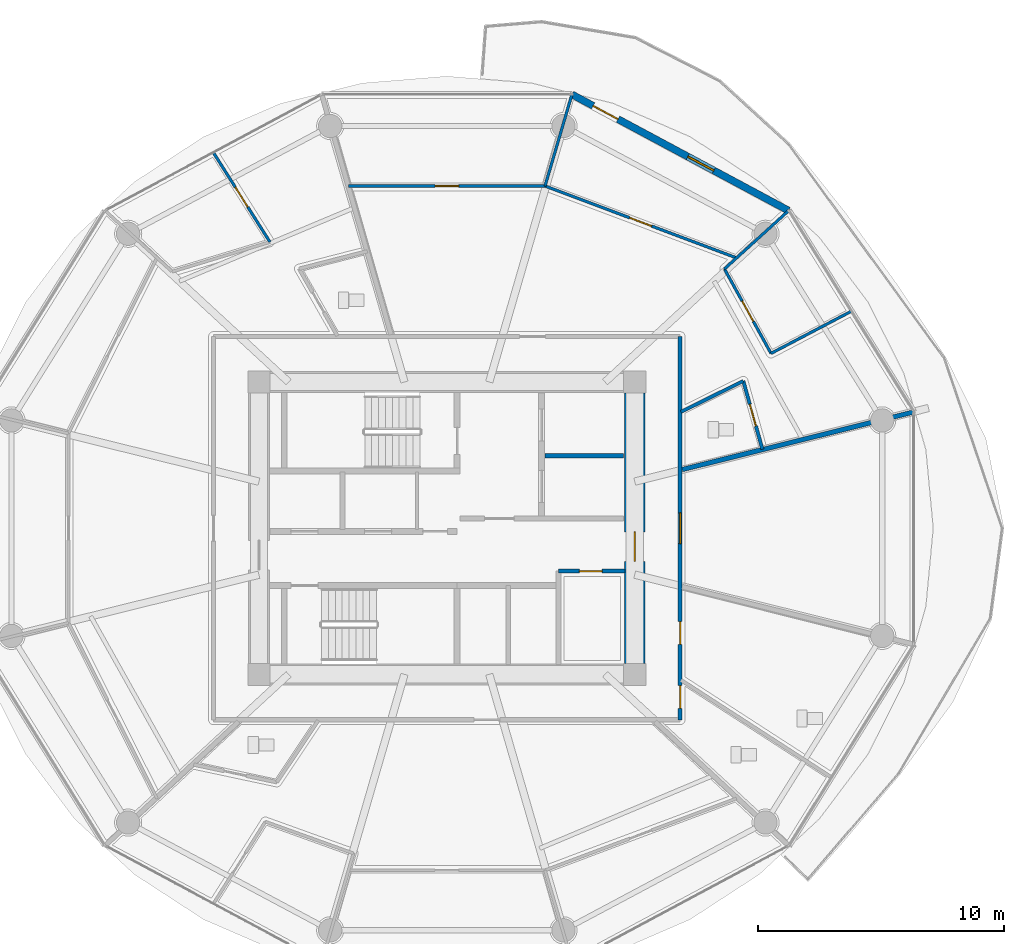
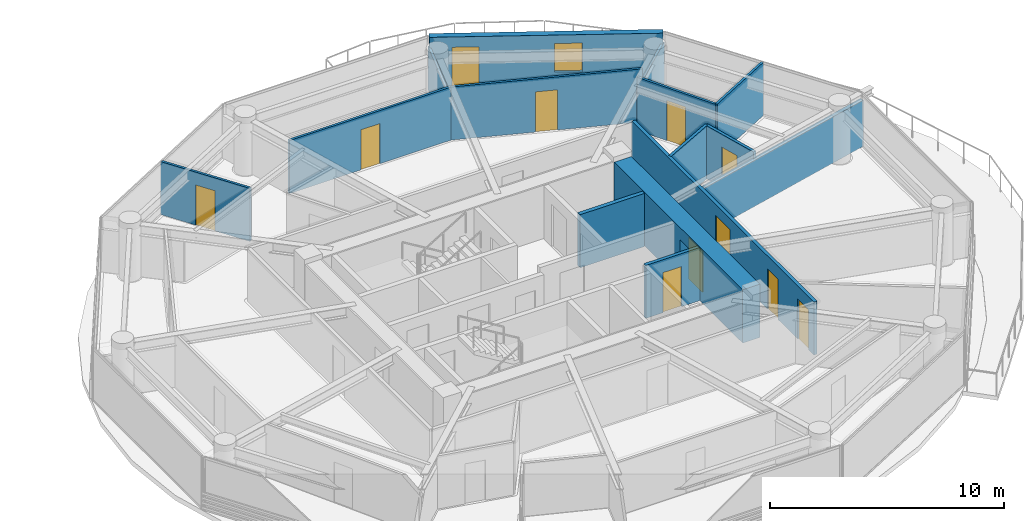
# One storey, part 20 of 31: 15 walls, 11 doors, 1 window, 12 openings.
"""IFC4 building model written with IfcOpenShell, lengths in metres."""

from ifc_helpers import new_model, si_unit, direction, frame, frame_2d, origin, place, context, subcontext, project, spatial, rectangle, extrude, source, transform, mapped, material, layer, layer_set, type_object, type_shapes, element, fill, save


model = new_model("IFC4")

# Units and contexts
model_context = context("Model", 3, precision=1e-05, world=origin(), true_north=direction((0.0, 1.0)))
body_context = subcontext(model_context, "Body", "Model", "MODEL_VIEW")
ifc_project = project(units=[si_unit("LENGTHUNIT", "METRE"), si_unit("AREAUNIT", "SQUARE_METRE"), si_unit("VOLUMEUNIT", "CUBIC_METRE"), si_unit("PLANEANGLEUNIT", "RADIAN"), si_unit("MASSUNIT", "GRAM", prefix="KILO")], contexts=[model_context])

# Site, building, storey
site_placement = place(None, origin())
site = spatial("IfcSite", under=ifc_project, at=site_placement, CompositionType="ELEMENT")
building_placement = place(site_placement, origin())
building = spatial("IfcBuilding", under=site, at=building_placement, Name="Norrkilde Senior Care Towers", CompositionType="ELEMENT")
storey_placement = place(building_placement, frame((0.0, 0.0, 42.949951171875)))
storey = spatial("IfcBuildingStorey", under=building, at=storey_placement, Name="L12", CompositionType="ELEMENT", Elevation=42.949951171875)

# Wall, opening, door
ifc_material_1 = material(Name="Concrete C60/75", Category="concrete")
ifc_layer_1 = layer(ifc_material_1, 0.85009765625)
ifc_layer_set_1 = layer_set([ifc_layer_1], Name="Concrete C60/75")
wall_type_1 = type_object("IfcWallType", Name="Core Shear Wall Z1 850", PredefinedType="SHEAR", material=ifc_layer_set_1)
shared_shape_1 = source(origin(), body_context, "Body", "SweptSolid", [
    extrude(rectangle(XDim=11.0, YDim=0.85009765625, at=frame_2d((5.5, 0.0))), origin(), (0.0, 0.0, 1.0), 2.7900390625),
])
type_shapes(wall_type_1, [shared_shape_1])
wall_1_placement = place(storey_placement, frame((35.64990234375, 5.5, 0.0), z_axis=(0.0, 0.0, 1.0), x_axis=(0.0, -1.0, 0.0)))
wall_1 = element("IfcWall", 1, at=wall_1_placement, inside=storey, type_object=wall_type_1, Name="L12 Core E East Shear Wall", PredefinedType="SHEAR", context=body_context, shape_type="MappedRepresentation", body=[
    mapped(shared_shape_1, transform((0.0, 0.0, 0.0), x_axis=(1.0, 0.0, 0.0), y_axis=(0.0, 1.0, 0.0), z_axis=(0.0, 0.0, 1.0), scale=1.0)),
])
opening_1_placement = place(wall_1_placement, frame((5.64990234375, 0.0, 0.0)))
opening_1 = element("IfcOpeningElement", 2, at=opening_1_placement, cuts=wall_1, Name="Opening D-04", PredefinedType="OPENING", context=body_context, shape_type="SweptSolid", body=[
    extrude(rectangle(XDim=1.199951171875, YDim=2.14990234375, at=frame_2d((0.60009765625, 1.074951171875))), frame((0.0, 0.43505859375, 0.0), z_axis=(0.0, -1.0, 0.0), x_axis=(1.0, 0.0, 0.0)), (0.0, 0.0, 1.0), 0.8701171875),
])
ifc_material_2 = material(Name="Galvanised Painted Steel", Category="steel")
door_type_1 = type_object("IfcDoorType", Name="Firefighting Lobby Fire Door 1200x2150", OperationType="NOTDEFINED", PredefinedType="DOOR", material=ifc_material_2)
shared_shape_2 = source(origin(), body_context, "Body", "SweptSolid", [
    extrude(rectangle(XDim=1.199951171875, YDim=2.14990234375, at=frame_2d((0.60009765625, 1.074951171875))), frame((0.0, 0.02490234375, 0.0), z_axis=(0.0, -1.0, 0.0), x_axis=(1.0, 0.0, 0.0)), (0.0, 0.0, 1.0), 0.050048828125),
])
type_shapes(door_type_1, [shared_shape_2])
door_1_placement = place(opening_1_placement, frame((1.199951171875, 0.0, 0.0), z_axis=(0.0, 0.0, 1.0), x_axis=(-1.0, 0.0, 0.0)))
door_1 = element("IfcDoor", 3, at=door_1_placement, inside=storey, type_object=door_type_1, Name="L12 Core E East Portal Door", OperationType="SINGLE_SWING_RIGHT", OverallHeight=2.14990234375, OverallWidth=1.199951171875, PredefinedType="DOOR", context=body_context, shape_type="MappedRepresentation", body=[
    mapped(shared_shape_2, transform((0.0, 0.0, 0.0), x_axis=(1.0, 0.0, 0.0), y_axis=(0.0, 1.0, 0.0), z_axis=(0.0, 0.0, 1.0), scale=1.0)),
])
fill(opening_1, door_1)

# Wall, openings, door, window
ifc_material_3 = material(Name="Precast concrete C45/55", Category="concrete")
ifc_layer_2 = layer(ifc_material_3, 0.2900390625)
ifc_layer_set_2 = layer_set([ifc_layer_2], Name="Precast concrete C45/55")
wall_type_2 = type_object("IfcWallType", Name="Winter Garden Facade Wall 290", PredefinedType="SOLIDWALL", material=ifc_layer_set_2)
shared_shape_3 = source(origin(), body_context, "Body", "SweptSolid", [
    extrude(rectangle(XDim=10.0107421875, YDim=0.2900390625, at=frame_2d((5.00537109375, 0.0))), origin(), (0.0, 0.0, 1.0), 2.7900390625),
])
type_shapes(wall_type_2, [shared_shape_3])
wall_2_placement = place(storey_placement, frame((33.093505859375, 17.6572265625, 0.0), z_axis=(0.0, 0.0, 1.0), x_axis=(0.881272505317, -0.472608475773, 0.0)))
wall_2 = element("IfcWall", 4, at=wall_2_placement, inside=storey, type_object=wall_type_2, Name="L12 Drum E Balcony Access Wall 01", PredefinedType="SOLIDWALL", context=body_context, shape_type="MappedRepresentation", body=[
    mapped(shared_shape_3, transform((0.0, 0.0, 0.0), x_axis=(1.0, 0.0, 0.0), y_axis=(0.0, 1.0, 0.0), z_axis=(0.0, 0.0, 1.0), scale=1.0)),
])
opening_2_placement = place(wall_2_placement, frame((0.97998046875, 0.0, 0.0)))
opening_2 = element("IfcOpeningElement", 5, at=opening_2_placement, cuts=wall_2, Name="Opening D-09", PredefinedType="OPENING", context=body_context, shape_type="SweptSolid", body=[
    extrude(rectangle(XDim=1.14990234375, YDim=2.25, at=frame_2d((0.574951171875, 1.125))), frame((0.0, 0.155029296875, 0.0), z_axis=(0.0, -1.0, 0.0), x_axis=(1.0, 0.0, 0.0)), (0.0, 0.0, 1.0), 0.31005859375),
])
opening_3_placement = place(wall_2_placement, frame((5.35546875, 0.0, 0.85009765625)))
opening_3 = element("IfcOpeningElement", 6, at=opening_3_placement, cuts=wall_2, Name="Opening WN-07", PredefinedType="OPENING", context=body_context, shape_type="SweptSolid", body=[
    extrude(rectangle(XDim=1.199951171875, YDim=1.5, at=frame_2d((0.60009765625, 0.75))), frame((0.0, 0.155029296875, 0.0), z_axis=(0.0, -1.0, 0.0), x_axis=(1.0, 0.0, 0.0)), (0.0, 0.0, 1.0), 0.31005859375),
])
ifc_material_4 = material(Name="Anodised Aluminium", Category="aluminium")
door_type_2 = type_object("IfcDoorType", Name="Terrace and Balcony Glazed Door 1150x2250", OperationType="NOTDEFINED", PredefinedType="DOOR", material=ifc_material_4)
shared_shape_4 = source(origin(), body_context, "Body", "SweptSolid", [
    extrude(rectangle(XDim=1.14990234375, YDim=2.25, at=frame_2d((0.574951171875, 1.125))), frame((0.0, 0.02490234375, 0.0), z_axis=(0.0, -1.0, 0.0), x_axis=(1.0, 0.0, 0.0)), (0.0, 0.0, 1.0), 0.050048828125),
])
type_shapes(door_type_2, [shared_shape_4])
door_2_placement = place(opening_2_placement, origin())
door_2 = element("IfcDoor", 7, at=door_2_placement, inside=storey, type_object=door_type_2, Name="L12 Drum E Outdoor Terrace Door 01", OperationType="SINGLE_SWING_RIGHT", OverallHeight=2.25, OverallWidth=1.14990234375, PredefinedType="DOOR", context=body_context, shape_type="MappedRepresentation", body=[
    mapped(shared_shape_4, transform((0.0, 0.0, 0.0), x_axis=(1.0, 0.0, 0.0), y_axis=(0.0, 1.0, 0.0), z_axis=(0.0, 0.0, 1.0), scale=1.0)),
])
fill(opening_2, door_2)
ifc_material_5 = material(Name="Triple Low-E Insulated Glazing", Category="glass")
window_type = type_object("IfcWindowType", Name="Stairwell Smoke Vent Window 1200x1500", PartitioningType="SINGLE_PANEL", PredefinedType="WINDOW", material=ifc_material_5)
shared_shape_5 = source(origin(), body_context, "Body", "SweptSolid", [
    extrude(rectangle(XDim=1.199951171875, YDim=1.5, at=frame_2d((0.60009765625, 0.75))), frame((0.0, 0.030029296875, 0.0), z_axis=(0.0, -1.0, 0.0), x_axis=(1.0, 0.0, 0.0)), (0.0, 0.0, 1.0), 0.06005859375),
])
type_shapes(window_type, [shared_shape_5])
window_placement = place(opening_3_placement, origin())
window = element("IfcWindow", 8, at=window_placement, inside=storey, type_object=window_type, Name="L12 Drum E Winter Garden Window 01", OverallHeight=1.5, OverallWidth=1.199951171875, PartitioningType="SINGLE_PANEL", PredefinedType="WINDOW", context=body_context, shape_type="MappedRepresentation", body=[
    mapped(shared_shape_5, transform((0.0, 0.0, 0.0), x_axis=(1.0, 0.0, 0.0), y_axis=(0.0, 1.0, 0.0), z_axis=(0.0, 0.0, 1.0), scale=1.0)),
])
fill(opening_3, window)

# Wall
ifc_material_6 = material(Name="Concrete C45/55", Category="concrete")
ifc_layer_3 = layer(ifc_material_6, 0.199951171875)
ifc_layer_set_3 = layer_set([ifc_layer_3], Name="Concrete C45/55")
wall_type_3 = type_object("IfcWallType", Name="Shaft Division and Plant Partition 200", PredefinedType="PARTITIONING", material=ifc_layer_set_3)
shared_shape_6 = source(origin(), body_context, "Body", "SweptSolid", [
    extrude(rectangle(XDim=3.199951171875, YDim=0.199951171875, at=frame_2d((1.60009765625, 0.0))), origin(), (0.0, 0.0, 1.0), 2.775146484375),
])
type_shapes(wall_type_3, [shared_shape_6])
wall_3_placement = place(storey_placement, frame((32.0, 2.949951171875, 0.0), z_axis=(0.0, 0.0, 1.0), x_axis=(1.0, 0.0, 0.0)))
element("IfcWall", 9, at=wall_3_placement, inside=storey, type_object=wall_type_3, Name="WL-INT-L12-E-FFLDIV", PredefinedType="PARTITIONING", context=body_context, shape_type="MappedRepresentation", body=[
    mapped(shared_shape_6, transform((0.0, 0.0, 0.0), x_axis=(1.0, 0.0, 0.0), y_axis=(0.0, 1.0, 0.0), z_axis=(0.0, 0.0, 1.0), scale=1.0)),
])

# Wall, opening, door
ifc_material_7 = material(Name="Gypsum Acoustic Board")
ifc_layer_4 = layer(ifc_material_7, 0.1650390625)
ifc_layer_set_4 = layer_set([ifc_layer_4], Name="Gypsum Acoustic Board")
wall_type_4 = type_object("IfcWallType", Name="Corridor Rated Partition 165", PredefinedType="PARTITIONING", material=ifc_layer_set_4)
shared_shape_7 = source(origin(), body_context, "Body", "SweptSolid", [
    extrude(rectangle(XDim=2.699951171875, YDim=0.1650390625, at=frame_2d((1.35009765625, 0.0))), origin(), (0.0, 0.0, 1.0), 2.775146484375),
])
wall_4_placement = place(storey_placement, frame((32.550048828125, -1.75, 0.0), z_axis=(0.0, 0.0, 1.0), x_axis=(1.0, 0.0, 0.0)))
wall_4 = element("IfcWall", 10, at=wall_4_placement, inside=storey, type_object=wall_type_4, Name="WL-INT-L12-E-CSN", PredefinedType="PARTITIONING", context=body_context, shape_type="MappedRepresentation", body=[
    mapped(shared_shape_7, transform((0.0, 0.0, 0.0), x_axis=(1.0, 0.0, 0.0), y_axis=(0.0, 1.0, 0.0), z_axis=(0.0, 0.0, 1.0), scale=1.0)),
])
opening_4_placement = place(wall_4_placement, frame((0.85009765625, 0.0, 0.0)))
opening_4 = element("IfcOpeningElement", 11, at=opening_4_placement, cuts=wall_4, Name="Opening D-12", PredefinedType="OPENING", context=body_context, shape_type="SweptSolid", body=[
    extrude(rectangle(XDim=0.925048828125, YDim=2.10009765625, at=frame_2d((0.46240234375, 1.050048828125))), frame((0.0, 0.092529296875, 0.0), z_axis=(0.0, -1.0, 0.0), x_axis=(1.0, 0.0, 0.0)), (0.0, 0.0, 1.0), 0.18505859375),
])
door_type_3 = type_object("IfcDoorType", Name="Core Wet Room Rated Door 925x2100", OperationType="NOTDEFINED", PredefinedType="DOOR", material=ifc_material_2)
shared_shape_8 = source(origin(), body_context, "Body", "SweptSolid", [
    extrude(rectangle(XDim=0.925048828125, YDim=2.10009765625, at=frame_2d((0.46240234375, 1.050048828125))), frame((0.0, 0.02490234375, 0.0), z_axis=(0.0, -1.0, 0.0), x_axis=(1.0, 0.0, 0.0)), (0.0, 0.0, 1.0), 0.050048828125),
])
type_shapes(door_type_3, [shared_shape_8])
door_3_placement = place(opening_4_placement, origin())
door_3 = element("IfcDoor", 12, at=door_3_placement, inside=storey, type_object=door_type_3, Name="L12 Core Utility E Door", OperationType="SINGLE_SWING_LEFT", OverallHeight=2.10009765625, OverallWidth=0.925048828125, PredefinedType="DOOR", context=body_context, shape_type="MappedRepresentation", body=[
    mapped(shared_shape_8, transform((0.0, 0.0, 0.0), x_axis=(1.0, 0.0, 0.0), y_axis=(0.0, 1.0, 0.0), z_axis=(0.0, 0.0, 1.0), scale=1.0)),
])
fill(opening_4, door_3)

# Wall, openings, doors
shared_shape_9 = source(origin(), body_context, "Body", "SweptSolid", [
    extrude(rectangle(XDim=15.60009765625, YDim=0.1650390625, at=frame_2d((7.800048828125, 0.0))), origin(), (0.0, 0.0, 1.0), 2.775146484375),
])
type_shapes(wall_type_4, [shared_shape_7, shared_shape_9])
wall_5_placement = place(storey_placement, frame((37.5, 7.800048828125, 0.0), z_axis=(0.0, 0.0, 1.0), x_axis=(0.0, -1.0, 0.0)))
wall_5 = element("IfcWall", 13, at=wall_5_placement, inside=storey, type_object=wall_type_4, Name="WL-INT-L12-E-CRW-E-0", PredefinedType="PARTITIONING", context=body_context, shape_type="MappedRepresentation", body=[
    mapped(shared_shape_9, transform((0.0, 0.0, 0.0), x_axis=(1.0, 0.0, 0.0), y_axis=(0.0, 1.0, 0.0), z_axis=(0.0, 0.0, 1.0), scale=1.0)),
])
opening_5_placement = place(wall_5_placement, frame((14.214599609375, 0.0, 0.0)))
opening_5 = element("IfcOpeningElement", 14, at=opening_5_placement, cuts=wall_5, Name="Opening D-08", PredefinedType="OPENING", context=body_context, shape_type="SweptSolid", body=[
    extrude(rectangle(XDim=0.919921875, YDim=2.10009765625, at=frame_2d((0.4599609375, 1.050048828125))), frame((0.0, 0.092529296875, 0.0), z_axis=(0.0, -1.0, 0.0), x_axis=(1.0, 0.0, 0.0)), (0.0, 0.0, 1.0), 0.18505859375),
])
opening_6_placement = place(wall_5_placement, frame((11.609130859375, 0.0, 0.0)))
opening_6 = element("IfcOpeningElement", 15, at=opening_6_placement, cuts=wall_5, Name="Opening D-08", PredefinedType="OPENING", context=body_context, shape_type="SweptSolid", body=[
    extrude(rectangle(XDim=0.919921875, YDim=2.10009765625, at=frame_2d((0.4599609375, 1.050048828125))), frame((0.0, 0.092529296875, 0.0), z_axis=(0.0, -1.0, 0.0), x_axis=(1.0, 0.0, 0.0)), (0.0, 0.0, 1.0), 0.18505859375),
])
opening_7_placement = place(wall_5_placement, frame((7.175048828125, 0.0, 0.0)))
opening_7 = element("IfcOpeningElement", 16, at=opening_7_placement, cuts=wall_5, Name="Opening D-05", PredefinedType="OPENING", context=body_context, shape_type="SweptSolid", body=[
    extrude(rectangle(XDim=1.25, YDim=2.199951171875, at=frame_2d((0.625, 1.10009765625))), frame((0.0, 0.092529296875, 0.0), z_axis=(0.0, -1.0, 0.0), x_axis=(1.0, 0.0, 0.0)), (0.0, 0.0, 1.0), 0.18505859375),
])
ifc_material_8 = material(Name="Nordic Ash Timber", Category="wood")
door_type_4 = type_object("IfcDoorType", Name="Care Bedroom Bariatric Door 1250x2200", OperationType="NOTDEFINED", PredefinedType="DOOR", material=ifc_material_8)
shared_shape_10 = source(origin(), body_context, "Body", "SweptSolid", [
    extrude(rectangle(XDim=1.25, YDim=2.199951171875, at=frame_2d((0.625, 1.10009765625))), frame((0.0, 0.02490234375, 0.0), z_axis=(0.0, -1.0, 0.0), x_axis=(1.0, 0.0, 0.0)), (0.0, 0.0, 1.0), 0.050048828125),
])
type_shapes(door_type_4, [shared_shape_10])
door_4_placement = place(opening_7_placement, frame((1.25, 0.0, 0.0), z_axis=(0.0, 0.0, 1.0), x_axis=(-1.0, 0.0, 0.0)))
door_4 = element("IfcDoor", 17, at=door_4_placement, inside=storey, type_object=door_type_4, Name="L12 Senior Wellness Library Lounge Door", OperationType="SINGLE_SWING_RIGHT", OverallHeight=2.199951171875, OverallWidth=1.25, PredefinedType="DOOR", context=body_context, shape_type="MappedRepresentation", body=[
    mapped(shared_shape_10, transform((0.0, 0.0, 0.0), x_axis=(1.0, 0.0, 0.0), y_axis=(0.0, 1.0, 0.0), z_axis=(0.0, 0.0, 1.0), scale=1.0)),
])
fill(opening_7, door_4)
door_type_5 = type_object("IfcDoorType", Name="Accessible Wet Room Door 920x2100", OperationType="NOTDEFINED", PredefinedType="DOOR", material=ifc_material_8)
shared_shape_11 = source(origin(), body_context, "Body", "SweptSolid", [
    extrude(rectangle(XDim=0.919921875, YDim=2.10009765625, at=frame_2d((0.4599609375, 1.050048828125))), frame((0.0, 0.02490234375, 0.0), z_axis=(0.0, -1.0, 0.0), x_axis=(1.0, 0.0, 0.0)), (0.0, 0.0, 1.0), 0.050048828125),
])
type_shapes(door_type_5, [shared_shape_11])
door_5_placement = place(opening_5_placement, frame((0.919921875, 0.0, 0.0), z_axis=(0.0, 0.0, 1.0), x_axis=(-1.0, 0.0, 0.0)))
door_5 = element("IfcDoor", 18, at=door_5_placement, inside=storey, type_object=door_type_5, Name="L12 Accessible Restroom Door", OperationType="SINGLE_SWING_LEFT", OverallHeight=2.10009765625, OverallWidth=0.919921875, PredefinedType="DOOR", context=body_context, shape_type="MappedRepresentation", body=[
    mapped(shared_shape_11, transform((0.0, 0.0, 0.0), x_axis=(1.0, 0.0, 0.0), y_axis=(0.0, 1.0, 0.0), z_axis=(0.0, 0.0, 1.0), scale=1.0)),
])
fill(opening_5, door_5)
door_6_placement = place(opening_6_placement, frame((0.919921875, 0.0, 0.0), z_axis=(0.0, 0.0, 1.0), x_axis=(-1.0, 0.0, 0.0)))
door_6 = element("IfcDoor", 19, at=door_6_placement, inside=storey, type_object=door_type_5, Name="L12 Public Restroom Door", OperationType="SINGLE_SWING_RIGHT", OverallHeight=2.10009765625, OverallWidth=0.919921875, PredefinedType="DOOR", context=body_context, shape_type="MappedRepresentation", body=[
    mapped(shared_shape_11, transform((0.0, 0.0, 0.0), x_axis=(1.0, 0.0, 0.0), y_axis=(0.0, 1.0, 0.0), z_axis=(0.0, 0.0, 1.0), scale=1.0)),
])
fill(opening_6, door_6)

# Wall, opening, door
ifc_layer_5 = layer(ifc_material_7, 0.114990234375)
ifc_layer_set_5 = layer_set([ifc_layer_5], Name="Gypsum Acoustic Board")
wall_type_5 = type_object("IfcWallType", Name="Internal Room Partition 115", PredefinedType="PARTITIONING", material=ifc_layer_set_5)
shared_shape_12 = source(origin(), body_context, "Body", "SweptSolid", [
    extrude(rectangle(XDim=7.99267578125, YDim=0.114990234375, at=frame_2d((3.996337890625, 0.0))), origin(), (0.0, 0.0, 1.0), 2.775146484375),
])
wall_6_placement = place(storey_placement, frame((31.996337890625, 13.927001953125, 0.0), z_axis=(0.0, 0.0, 1.0), x_axis=(-1.0, 0.0, 0.0)))
wall_6 = element("IfcWall", 20, at=wall_6_placement, inside=storey, type_object=wall_type_5, Name="WL-INT-L12-E-UBC-00-2", PredefinedType="PARTITIONING", context=body_context, shape_type="MappedRepresentation", body=[
    mapped(shared_shape_12, transform((0.0, 0.0, 0.0), x_axis=(1.0, 0.0, 0.0), y_axis=(0.0, 1.0, 0.0), z_axis=(0.0, 0.0, 1.0), scale=1.0)),
])
opening_8_placement = place(wall_6_placement, frame((3.521484375, 0.0, 0.0)))
opening_8 = element("IfcOpeningElement", 21, at=opening_8_placement, cuts=wall_6, Name="Opening D-07", PredefinedType="OPENING", context=body_context, shape_type="SweptSolid", body=[
    extrude(rectangle(XDim=0.949951171875, YDim=2.10009765625, at=frame_2d((0.47509765625, 1.050048828125))), frame((0.0, 0.0673828125, 0.0), z_axis=(0.0, -1.0, 0.0), x_axis=(1.0, 0.0, 0.0)), (0.0, 0.0, 1.0), 0.135009765625),
])
door_type_6 = type_object("IfcDoorType", Name="Internal Suite Bedroom Door 950x2100", OperationType="NOTDEFINED", PredefinedType="DOOR", material=ifc_material_8)
shared_shape_13 = source(origin(), body_context, "Body", "SweptSolid", [
    extrude(rectangle(XDim=0.949951171875, YDim=2.10009765625, at=frame_2d((0.47509765625, 1.050048828125))), frame((0.0, 0.02490234375, 0.0), z_axis=(0.0, -1.0, 0.0), x_axis=(1.0, 0.0, 0.0)), (0.0, 0.0, 1.0), 0.050048828125),
])
type_shapes(door_type_6, [shared_shape_13])
door_7_placement = place(opening_8_placement, frame((0.949951171875, 0.0, 0.0), z_axis=(0.0, 0.0, 1.0), x_axis=(-1.0, 0.0, 0.0)))
door_7 = element("IfcDoor", 22, at=door_7_placement, inside=storey, type_object=door_type_6, Name="Apartment 12E Bedroom 2 Door", OperationType="SINGLE_SWING_LEFT", OverallHeight=2.10009765625, OverallWidth=0.949951171875, PredefinedType="DOOR", context=body_context, shape_type="MappedRepresentation", body=[
    mapped(shared_shape_13, transform((0.0, 0.0, 0.0), x_axis=(1.0, 0.0, 0.0), y_axis=(0.0, 1.0, 0.0), z_axis=(0.0, 0.0, 1.0), scale=1.0)),
])
fill(opening_8, door_7)

shared_shape_14 = source(origin(), body_context, "Body", "SweptSolid", [
    extrude(rectangle(XDim=8.31982421875, YDim=0.114990234375, at=frame_2d((4.159912109375, 0.0))), origin(), (0.0, 0.0, 1.0), 2.775146484375),
])
wall_7_placement = place(storey_placement, frame((39.7861328125, 11.005615234375, 0.0), z_axis=(0.0, 0.0, 1.0), x_axis=(-0.936180763098, 0.351518959382, 0.0)))
wall_7 = element("IfcWall", 23, at=wall_7_placement, inside=storey, type_object=wall_type_5, Name="WL-INT-L12-E-UBC-00-1", PredefinedType="PARTITIONING", context=body_context, shape_type="MappedRepresentation", body=[
    mapped(shared_shape_14, transform((0.0, 0.0, 0.0), x_axis=(1.0, 0.0, 0.0), y_axis=(0.0, 1.0, 0.0), z_axis=(0.0, 0.0, 1.0), scale=1.0)),
])
opening_9_placement = place(wall_7_placement, frame((3.684814453125, 0.0, 0.0)))
opening_9 = element("IfcOpeningElement", 24, at=opening_9_placement, cuts=wall_7, Name="Opening D-07", PredefinedType="OPENING", context=body_context, shape_type="SweptSolid", body=[
    extrude(rectangle(XDim=0.949951171875, YDim=2.10009765625, at=frame_2d((0.47509765625, 1.050048828125))), frame((0.0, 0.0673828125, 0.0), z_axis=(0.0, -1.0, 0.0), x_axis=(1.0, 0.0, 0.0)), (0.0, 0.0, 1.0), 0.135009765625),
])
door_8_placement = place(opening_9_placement, origin())
door_8 = element("IfcDoor", 25, at=door_8_placement, inside=storey, type_object=door_type_6, Name="Apartment 12E Bedroom 1 Door", OperationType="SINGLE_SWING_RIGHT", OverallHeight=2.10009765625, OverallWidth=0.949951171875, PredefinedType="DOOR", context=body_context, shape_type="MappedRepresentation", body=[
    mapped(shared_shape_13, transform((0.0, 0.0, 0.0), x_axis=(1.0, 0.0, 0.0), y_axis=(0.0, 1.0, 0.0), z_axis=(0.0, 0.0, 1.0), scale=1.0)),
])
fill(opening_9, door_8)

# Wall
ifc_layer_6 = layer(ifc_material_7, 0.18994140625)
ifc_layer_set_6 = layer_set([ifc_layer_6], Name="Gypsum Acoustic Board")
wall_type_6 = type_object("IfcWallType", Name="Unit Demising Acoustic Wall 190", PredefinedType="PARTITIONING", material=ifc_layer_set_6)
shared_shape_15 = source(origin(), body_context, "Body", "SweptSolid", [
    extrude(rectangle(XDim=9.737060546875, YDim=0.18994140625, at=frame_2d((4.86865234375, 0.0))), origin(), (0.0, 0.0, 1.0), 2.4150390625),
])
type_shapes(wall_type_6, [shared_shape_15])
wall_8_placement = place(storey_placement, frame((37.580078125, 2.384521484375, 0.0), z_axis=(0.0, 0.0, 1.0), x_axis=(0.970392716238, 0.241532557375, 0.0)))
element("IfcWall", 26, at=wall_8_placement, inside=storey, type_object=wall_type_6, Name="WL-INT-L12-E-DEM-00-0", PredefinedType="PARTITIONING", context=body_context, shape_type="MappedRepresentation", body=[
    mapped(shared_shape_15, transform((0.0, 0.0, 0.0), x_axis=(1.0, 0.0, 0.0), y_axis=(0.0, 1.0, 0.0), z_axis=(0.0, 0.0, 1.0), scale=1.0)),
])

# Wall, opening, door
shared_shape_16 = source(origin(), body_context, "Body", "SweptSolid", [
    extrude(rectangle(XDim=4.326416015625, YDim=0.114990234375, at=frame_2d((2.1630859375, 0.0))), origin(), (0.0, 0.0, 1.0), 2.775146484375),
])
wall_9_placement = place(storey_placement, frame((20.79638671875, 11.650634765625, 0.0), z_axis=(0.0, 0.0, 1.0), x_axis=(-0.534101263803, 0.845420510755, 0.0)))
wall_9 = element("IfcWall", 27, at=wall_9_placement, inside=storey, type_object=wall_type_5, Name="WL-INT-L12-E-UKTS-03", PredefinedType="PARTITIONING", context=body_context, shape_type="MappedRepresentation", body=[
    mapped(shared_shape_16, transform((0.0, 0.0, 0.0), x_axis=(1.0, 0.0, 0.0), y_axis=(0.0, 1.0, 0.0), z_axis=(0.0, 0.0, 1.0), scale=1.0)),
])
opening_10_placement = place(wall_9_placement, frame((1.688232421875, 0.0, 0.0)))
opening_10 = element("IfcOpeningElement", 28, at=opening_10_placement, cuts=wall_9, Name="Opening D-07", PredefinedType="OPENING", context=body_context, shape_type="SweptSolid", body=[
    extrude(rectangle(XDim=0.949951171875, YDim=2.10009765625, at=frame_2d((0.47509765625, 1.050048828125))), frame((0.0, 0.0673828125, 0.0), z_axis=(0.0, -1.0, 0.0), x_axis=(1.0, 0.0, 0.0)), (0.0, 0.0, 1.0), 0.135009765625),
])
door_9_placement = place(opening_10_placement, frame((0.949951171875, 0.0, 0.0), z_axis=(0.0, 0.0, 1.0), x_axis=(-1.0, 0.0, 0.0)))
door_9 = element("IfcDoor", 29, at=door_9_placement, inside=storey, type_object=door_type_6, Name="Apartment 12A Kitchen Door", OperationType="SINGLE_SWING_RIGHT", OverallHeight=2.10009765625, OverallWidth=0.949951171875, PredefinedType="DOOR", context=body_context, shape_type="MappedRepresentation", body=[
    mapped(shared_shape_13, transform((0.0, 0.0, 0.0), x_axis=(1.0, 0.0, 0.0), y_axis=(0.0, 1.0, 0.0), z_axis=(0.0, 0.0, 1.0), scale=1.0)),
])
fill(opening_10, door_9)

# Walls
shared_shape_17 = source(origin(), body_context, "Body", "SweptSolid", [
    extrude(rectangle(XDim=3.562744140625, YDim=0.114990234375, at=frame_2d((1.78125, 0.0))), origin(), (0.0, 0.0, 1.0), 2.22509765625),
])
wall_10_placement = place(storey_placement, frame((39.29248046875, 10.544677734375, 0.0), z_axis=(0.0, 0.0, 1.0), x_axis=(0.740277955068, 0.672300936515, 0.0)))
element("IfcWall", 30, at=wall_10_placement, inside=storey, type_object=wall_type_5, Name="WL-INT-L12-E-UBR-00-1", PredefinedType="PARTITIONING", context=body_context, shape_type="MappedRepresentation", body=[
    mapped(shared_shape_17, transform((0.0, 0.0, 0.0), x_axis=(1.0, 0.0, 0.0), y_axis=(0.0, 1.0, 0.0), z_axis=(0.0, 0.0, 1.0), scale=1.0)),
])
shared_shape_18 = source(origin(), body_context, "Body", "SweptSolid", [
    extrude(rectangle(XDim=3.908203125, YDim=0.114990234375, at=frame_2d((1.9541015625, 0.0))), origin(), (0.0, 0.0, 1.0), 2.22509765625),
])
wall_11_placement = place(storey_placement, frame((31.996337890625, 13.927001953125, 0.0), z_axis=(0.0, 0.0, 1.0), x_axis=(0.282047948883, 0.959400309845, 0.0)))
element("IfcWall", 31, at=wall_11_placement, inside=storey, type_object=wall_type_5, Name="WL-INT-L12-E-UBR-00-2", PredefinedType="PARTITIONING", context=body_context, shape_type="MappedRepresentation", body=[
    mapped(shared_shape_18, transform((0.0, 0.0, 0.0), x_axis=(1.0, 0.0, 0.0), y_axis=(0.0, 1.0, 0.0), z_axis=(0.0, 0.0, 1.0), scale=1.0)),
])
ifc_layer_7 = layer(ifc_material_7, 0.139892578125)
ifc_layer_set_7 = layer_set([ifc_layer_7], Name="Gypsum Acoustic Board")
wall_type_7 = type_object("IfcWallType", Name="En-suite Wet Room Wall 140", PredefinedType="PARTITIONING", material=ifc_layer_set_7)
shared_shape_19 = source(origin(), body_context, "Body", "SweptSolid", [
    extrude(rectangle(XDim=2.83447265625, YDim=0.139892578125, at=frame_2d((1.417236328125, 0.0))), origin(), (0.0, 0.0, 1.0), 2.775146484375),
])
wall_12_placement = place(storey_placement, frame((37.530029296875, 4.731689453125, 0.0), z_axis=(0.0, 0.0, 1.0), x_axis=(0.895681174462, 0.444696788513, 0.0)))
element("IfcWall", 32, at=wall_12_placement, inside=storey, type_object=wall_type_7, Name="WL-INT-L12-E-UBTS-00", PredefinedType="PARTITIONING", context=body_context, shape_type="MappedRepresentation", body=[
    mapped(shared_shape_19, transform((0.0, 0.0, 0.0), x_axis=(1.0, 0.0, 0.0), y_axis=(0.0, 1.0, 0.0), z_axis=(0.0, 0.0, 1.0), scale=1.0)),
])

# Wall, opening, door
shared_shape_20 = source(origin(), body_context, "Body", "SweptSolid", [
    extrude(rectangle(XDim=2.884765625, YDim=0.139892578125, at=frame_2d((1.4423828125, 0.0))), origin(), (0.0, 0.0, 1.0), 2.775146484375),
])
type_shapes(wall_type_7, [shared_shape_19, shared_shape_20])
wall_13_placement = place(storey_placement, frame((40.06884765625, 5.9921875, 0.0), z_axis=(0.0, 0.0, 1.0), x_axis=(0.269799431837, -0.962916541856, 0.0)))
wall_13 = element("IfcWall", 33, at=wall_13_placement, inside=storey, type_object=wall_type_7, Name="WL-INT-L12-E-UBTF-00", PredefinedType="PARTITIONING", context=body_context, shape_type="MappedRepresentation", body=[
    mapped(shared_shape_20, transform((0.0, 0.0, 0.0), x_axis=(1.0, 0.0, 0.0), y_axis=(0.0, 1.0, 0.0), z_axis=(0.0, 0.0, 1.0), scale=1.0)),
])
opening_11_placement = place(wall_13_placement, frame((0.982421875, 0.0, 0.0)))
opening_11 = element("IfcOpeningElement", 34, at=opening_11_placement, cuts=wall_13, Name="Opening D-08", PredefinedType="OPENING", context=body_context, shape_type="SweptSolid", body=[
    extrude(rectangle(XDim=0.919921875, YDim=2.10009765625, at=frame_2d((0.4599609375, 1.050048828125))), frame((0.0, 0.079833984375, 0.0), z_axis=(0.0, -1.0, 0.0), x_axis=(1.0, 0.0, 0.0)), (0.0, 0.0, 1.0), 0.159912109375),
])
door_10_placement = place(opening_11_placement, origin())
door_10 = element("IfcDoor", 35, at=door_10_placement, inside=storey, type_object=door_type_5, Name="Apartment 12E Bathroom Door", OperationType="SINGLE_SWING_RIGHT", OverallHeight=2.10009765625, OverallWidth=0.919921875, PredefinedType="DOOR", context=body_context, shape_type="MappedRepresentation", body=[
    mapped(shared_shape_11, transform((0.0, 0.0, 0.0), x_axis=(1.0, 0.0, 0.0), y_axis=(0.0, 1.0, 0.0), z_axis=(0.0, 0.0, 1.0), scale=1.0)),
])
fill(opening_11, door_10)

# Wall
shared_shape_21 = source(origin(), body_context, "Body", "SweptSolid", [
    extrude(rectangle(XDim=3.706298828125, YDim=0.114990234375, at=frame_2d((1.85302734375, 0.0))), origin(), (0.0, 0.0, 1.0), 2.775146484375),
])
wall_14_placement = place(storey_placement, frame((41.197998046875, 7.115234375, 0.0), z_axis=(0.0, 0.0, 1.0), x_axis=(0.88538502503, 0.464858427322, 0.0)))
element("IfcWall", 36, at=wall_14_placement, inside=storey, type_object=wall_type_5, Name="WL-INT-L12-E-UKTS-00", PredefinedType="PARTITIONING", context=body_context, shape_type="MappedRepresentation", body=[
    mapped(shared_shape_21, transform((0.0, 0.0, 0.0), x_axis=(1.0, 0.0, 0.0), y_axis=(0.0, 1.0, 0.0), z_axis=(0.0, 0.0, 1.0), scale=1.0)),
])

# Wall, opening, door
shared_shape_22 = source(origin(), body_context, "Body", "SweptSolid", [
    extrude(rectangle(XDim=3.92626953125, YDim=0.114990234375, at=frame_2d((1.963134765625, 0.0))), origin(), (0.0, 0.0, 1.0), 2.775146484375),
])
type_shapes(wall_type_5, [shared_shape_12, shared_shape_14, shared_shape_16, shared_shape_17, shared_shape_18, shared_shape_21, shared_shape_22])
wall_15_placement = place(storey_placement, frame((41.197998046875, 7.115234375, 0.0), z_axis=(0.0, 0.0, 1.0), x_axis=(-0.483037889915, 0.875599450038, 0.0)))
wall_15 = element("IfcWall", 37, at=wall_15_placement, inside=storey, type_object=wall_type_5, Name="WL-INT-L12-E-UKTF-00", PredefinedType="PARTITIONING", context=body_context, shape_type="MappedRepresentation", body=[
    mapped(shared_shape_22, transform((0.0, 0.0, 0.0), x_axis=(1.0, 0.0, 0.0), y_axis=(0.0, 1.0, 0.0), z_axis=(0.0, 0.0, 1.0), scale=1.0)),
])
opening_12_placement = place(wall_15_placement, frame((1.488037109375, 0.0, 0.0)))
opening_12 = element("IfcOpeningElement", 38, at=opening_12_placement, cuts=wall_15, Name="Opening D-07", PredefinedType="OPENING", context=body_context, shape_type="SweptSolid", body=[
    extrude(rectangle(XDim=0.949951171875, YDim=2.10009765625, at=frame_2d((0.47509765625, 1.050048828125))), frame((0.0, 0.0673828125, 0.0), z_axis=(0.0, -1.0, 0.0), x_axis=(1.0, 0.0, 0.0)), (0.0, 0.0, 1.0), 0.135009765625),
])
door_11_placement = place(opening_12_placement, frame((0.949951171875, 0.0, 0.0), z_axis=(0.0, 0.0, 1.0), x_axis=(-1.0, 0.0, 0.0)))
door_11 = element("IfcDoor", 39, at=door_11_placement, inside=storey, type_object=door_type_6, Name="Apartment 12E Kitchen Door", OperationType="SINGLE_SWING_LEFT", OverallHeight=2.10009765625, OverallWidth=0.949951171875, PredefinedType="DOOR", context=body_context, shape_type="MappedRepresentation", body=[
    mapped(shared_shape_13, transform((0.0, 0.0, 0.0), x_axis=(1.0, 0.0, 0.0), y_axis=(0.0, 1.0, 0.0), z_axis=(0.0, 0.0, 1.0), scale=1.0)),
])
fill(opening_12, door_11)

save(model, "model.ifc")
